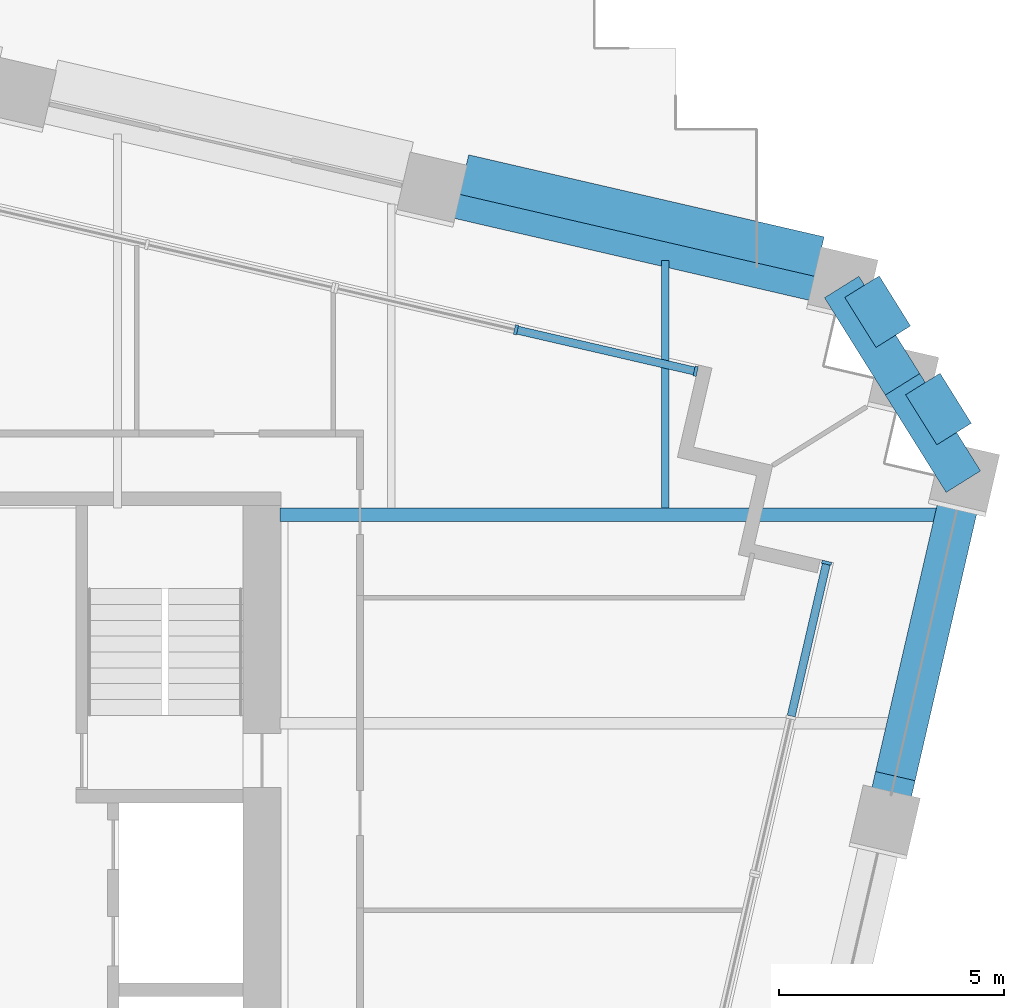
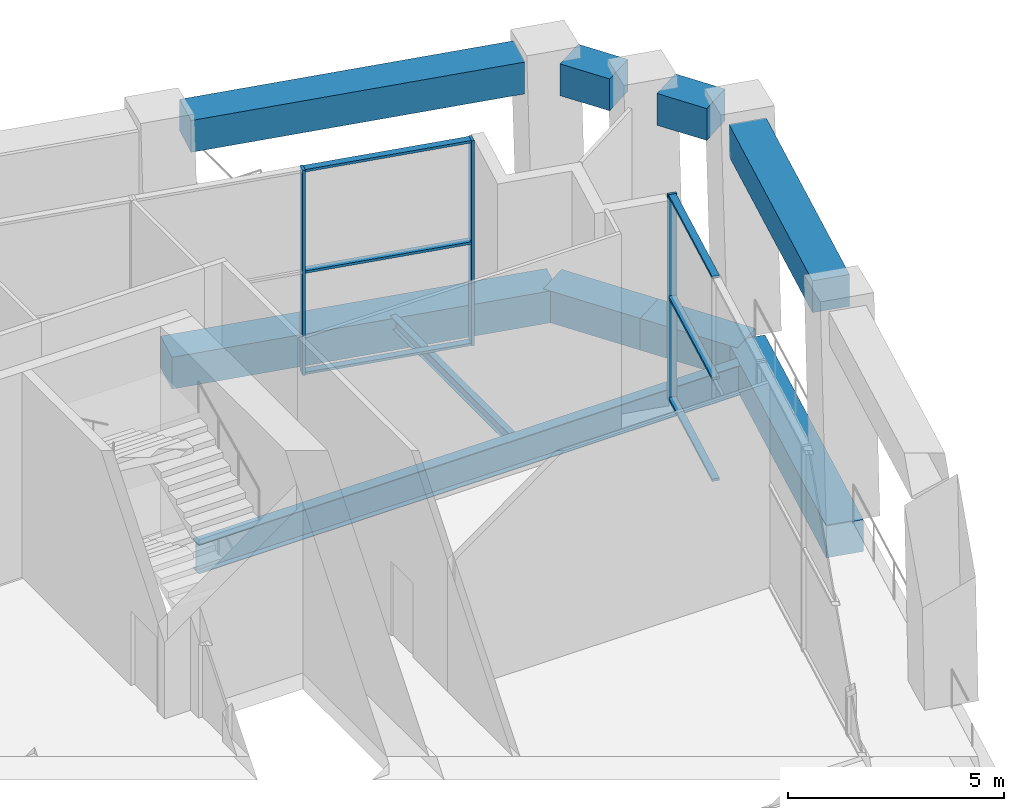
# One storey, part 10 of 23: 10 beams, 9 members, 2 elements without a shape of their own.
"""IFC4 building model written with IfcOpenShell, lengths in metres."""

from ifc_helpers import new_model, si_unit, direction, frame, origin, origin_2d, place, context, subcontext, project, spatial, rectangle, i_section, extrude, material, material_profile, profile_set, type_object, element, aggregate, save


model = new_model("IFC4")

# Units and contexts
model_context = context("Model", 3, precision=1e-05, world=origin(), true_north=direction((0.0, 1.0)))
body_context = subcontext(model_context, "Body", "Model", "MODEL_VIEW")
ifc_project = project(units=[si_unit("LENGTHUNIT", "METRE"), si_unit("AREAUNIT", "SQUARE_METRE"), si_unit("VOLUMEUNIT", "CUBIC_METRE"), si_unit("PLANEANGLEUNIT", "RADIAN"), si_unit("MASSUNIT", "GRAM", prefix="KILO")], contexts=[model_context])

# Site, building, storey
site_placement = place(None, origin())
site = spatial("IfcSite", under=ifc_project, at=site_placement, CompositionType="ELEMENT")
building_placement = place(site_placement, origin())
building = spatial("IfcBuilding", under=site, at=building_placement, Name="Ogive Exchange Tower", CompositionType="ELEMENT")
storey_placement = place(building_placement, frame((0.0, 0.0, 99.60009765625)))
storey = spatial("IfcBuildingStorey", under=building, at=storey_placement, Name="L21", CompositionType="ELEMENT", Elevation=99.60009765625)

# Beams
ifc_material_1 = material(Name="Steel ASTM A992 Gr50", Category="steel")
ifc_material_profile_1 = material_profile(ifc_material_1, i_section(OverallWidth=0.1650390625, OverallDepth=0.31005859375, WebThickness=0.005859375, FlangeThickness=0.009765625, at=origin_2d()), Name="W310x38.7")
ifc_profile_set_1 = profile_set([ifc_material_profile_1], Name="Steel ASTM A992 Gr50")
beam_type_1 = type_object("IfcBeamType", Name="Floor beam W310x38.7", PredefinedType="JOIST", material=ifc_profile_set_1)
beam_1_placement = place(storey_placement, frame((30.366943359375, 25.39111328125, -0.60498046875), z_axis=(0.0, 1.0, 0.0), x_axis=(-1.0, 0.0, 0.0)))
element("IfcBeam", 1, at=beam_1_placement, inside=storey, type_object=beam_type_1, Name="Floor beam", PredefinedType="JOIST", context=body_context, shape_type="SweptSolid", body=[
    extrude(i_section(OverallWidth=0.1650390625, OverallDepth=0.31005859375, WebThickness=0.005859375, FlangeThickness=0.009765625, at=origin_2d()), origin(), (0.0, 0.0, 1.0), 5.4990234375),
])
ifc_material_profile_2 = material_profile(ifc_material_1, i_section(OverallWidth=0.2919921875, OverallDepth=0.8359375, WebThickness=0.013916015625, FlangeThickness=0.018798828125, at=origin_2d()), Name="W840x176")
ifc_profile_set_2 = profile_set([ifc_material_profile_2], Name="Steel ASTM A992 Gr50")
beam_type_2 = type_object("IfcBeamType", Name="Girder W840x176", PredefinedType="BEAM", material=ifc_profile_set_2)
beam_2_placement = place(storey_placement, frame((21.830078125, 25.2451171875, -0.8681640625), z_axis=(1.0, 0.0, 0.0), x_axis=(0.0, 1.0, 0.0)))
element("IfcBeam", 2, at=beam_2_placement, inside=storey, type_object=beam_type_2, Name="Header girder", PredefinedType="BEAM", context=body_context, shape_type="SweptSolid", body=[
    extrude(i_section(OverallWidth=0.2919921875, OverallDepth=0.8359375, WebThickness=0.013916015625, FlangeThickness=0.018798828125, at=origin_2d()), origin(), (0.0, 0.0, 1.0), 14.668212890625),
])
ifc_material_2 = material(Name="Precast concrete C70/85 (limestone faced)", Category="masonry")
ifc_material_profile_3 = material_profile(ifc_material_2, rectangle(XDim=0.89990234375, YDim=0.89990234375, at=origin_2d()), Name="900 x 900")
ifc_profile_set_3 = profile_set([ifc_material_profile_3], Name="Precast concrete C70/85 (limestone faced)")
beam_type_3 = type_object("IfcBeamType", Name="Precast spandrel 900 x 900 C70/85", PredefinedType="SPANDREL", material=ifc_profile_set_3)
beam_3_placement = place(storey_placement, frame((35.47216796875, 19.449951171875, 5.2998046875), z_axis=(0.224961888605, 0.974367563436, 0.0), x_axis=(-0.974367563436, 0.224961888605, 0.0)))
element("IfcBeam", 3, at=beam_3_placement, inside=storey, type_object=beam_type_3, Name="Spandrel 15", PredefinedType="SPANDREL", context=body_context, shape_type="SweptSolid", body=[
    extrude(rectangle(XDim=0.89990234375, YDim=0.89990234375, at=origin_2d()), origin(), (0.0, 0.0, 1.0), 6.617919921875),
])
for number, where, z_axis, x_axis, name in (
    (4, (36.7744140625, 27.037109375, 5.2998046875), (-0.529847842077, 0.848092721491, 0.0), (-0.848092721491, -0.529847842077, 0.0), "Spandrel 16"),
    (5, (35.425537109375, 29.196044921875, 5.2998046875), (-0.529931776808, 0.848040277303, 0.0), (-0.848040277303, -0.529931776808, 0.0), "Spandrel 17"),
):
    element("IfcBeam", number, at=place(storey_placement, frame(where, z_axis=z_axis, x_axis=x_axis)), inside=storey, type_object=beam_type_3, Name=name, PredefinedType="SPANDREL", context=body_context, shape_type="SweptSolid", body=[
        extrude(rectangle(XDim=0.89990234375, YDim=0.89990234375, at=origin_2d()), origin(), (0.0, 0.0, 1.0), 1.30712890625),
    ])
beam_4_placement = place(storey_placement, frame((33.791015625, 30.971435546875, 5.2998046875), z_axis=(-0.974371864918, 0.224943256972, 0.0), x_axis=(-0.224943256972, -0.974371864918, 0.0)))
element("IfcBeam", 6, at=beam_4_placement, inside=storey, type_object=beam_type_3, Name="Spandrel 18", PredefinedType="SPANDREL", context=body_context, shape_type="SweptSolid", body=[
    extrude(rectangle(XDim=0.89990234375, YDim=0.89990234375, at=origin_2d()), origin(), (0.0, 0.0, 1.0), 8.090087890625),
])
ifc_material_profile_4 = material_profile(ifc_material_2, rectangle(XDim=0.89990234375, YDim=0.89990234375, at=origin_2d()), Name="900 x 900")
ifc_profile_set_4 = profile_set([ifc_material_profile_4], Name="Precast concrete C70/85 (limestone faced)")
beam_type_4 = type_object("IfcBeamType", Name="Precast transfer girder 900 x 900 C70/85", PredefinedType="BEAM", material=ifc_profile_set_4)
beam_5_placement = place(storey_placement, frame((35.225341796875, 18.380615234375, -0.900146484375), z_axis=(0.22495322987, 0.974369562523, 0.0), x_axis=(-0.974369562523, 0.22495322987, 0.0)))
element("IfcBeam", 7, at=beam_5_placement, inside=storey, type_object=beam_type_4, Name="Transfer girder 15", PredefinedType="BEAM", context=body_context, shape_type="SweptSolid", body=[
    extrude(rectangle(XDim=0.89990234375, YDim=0.89990234375, at=origin_2d()), origin(), (0.0, 0.0, 1.0), 7.800048828125),
])
beam_6_placement = place(storey_placement, frame((36.97998046875, 25.980712890625, -0.900146484375), z_axis=(-0.529912724405, 0.848052182659, 0.0), x_axis=(-0.848052182659, -0.529912724405, 0.0)))
element("IfcBeam", 8, at=beam_6_placement, inside=storey, type_object=beam_type_4, Name="Transfer girder 16", PredefinedType="BEAM", context=body_context, shape_type="SweptSolid", body=[
    extrude(rectangle(XDim=0.89990234375, YDim=0.89990234375, at=origin_2d()), origin(), (0.0, 0.0, 1.0), 2.54541015625),
])
beam_7_placement = place(storey_placement, frame((35.631103515625, 28.139404296875, -0.900146484375), z_axis=(-0.529981698198, 0.848009079889, 0.0), x_axis=(-0.848009079889, -0.529981698198, 0.0)))
element("IfcBeam", 9, at=beam_7_placement, inside=storey, type_object=beam_type_4, Name="Transfer girder 17", PredefinedType="BEAM", context=body_context, shape_type="SweptSolid", body=[
    extrude(rectangle(XDim=0.89990234375, YDim=0.89990234375, at=origin_2d()), origin(), (0.0, 0.0, 1.0), 2.545654296875),
])
beam_8_placement = place(storey_placement, frame((34.281982421875, 30.298095703125, -0.900146484375), z_axis=(-0.974364784413, 0.224973924925, 0.0), x_axis=(-0.224973924925, -0.974364784413, 0.0)))
element("IfcBeam", 10, at=beam_8_placement, inside=storey, type_object=beam_type_4, Name="Transfer girder 18", PredefinedType="BEAM", context=body_context, shape_type="SweptSolid", body=[
    extrude(rectangle(XDim=0.89990234375, YDim=0.89990234375, at=origin_2d()), origin(), (0.0, 0.0, 1.0), 9.35009765625),
])

# Curtain wall, member
ifc_material_3 = material(Name="Anodised aluminium and clear glass", Category="aluminium")
curtain_wall_type = type_object("IfcCurtainWallType", Name="Sky lobby glazing", PredefinedType="NOTDEFINED", material=ifc_material_3)
curtain_wall_1_placement = place(storey_placement, origin())
curtain_wall_1 = element("IfcCurtainWall", 11, at=curtain_wall_1_placement, inside=storey, type_object=curtain_wall_type, Name="Sky lobby glazing run G13", PredefinedType="NOTDEFINED")
ifc_material_4 = material(Name="Anodised aluminium", Category="aluminium")
ifc_material_profile_5 = material_profile(ifc_material_4, rectangle(XDim=0.219970703125, YDim=0.070068359375, at=origin_2d()), Name="AL 70x220")
ifc_profile_set_5 = profile_set([ifc_material_profile_5], Name="Anodised aluminium")
member_type_1 = type_object("IfcMemberType", Name="Sky lobby glazing mullion 70 x 220", PredefinedType="MULLION", material=ifc_profile_set_5)
member_1_placement = place(storey_placement, frame((33.947509765625, 24.181640625, 0.0), z_axis=(0.0, 0.0, 1.0), x_axis=(-0.974368684938, 0.224957031035, 0.0)))
member_1 = element("IfcMember", 12, at=member_1_placement, type_object=member_type_1, Name="G13 mullion 3", PredefinedType="MULLION", context=body_context, shape_type="SweptSolid", body=[
    extrude(rectangle(XDim=0.219970703125, YDim=0.070068359375, at=origin_2d()), origin(), (0.0, 0.0, 1.0), 5.7998046875),
])

# Curtain wall, members
curtain_wall_2_placement = place(storey_placement, origin())
curtain_wall_2 = element("IfcCurtainWall", 13, at=curtain_wall_2_placement, inside=storey, type_object=curtain_wall_type, Name="Sky lobby glazing run G14", PredefinedType="NOTDEFINED")
member_2_placement = place(storey_placement, frame((31.04345703125, 28.4287109375, 0.0), z_axis=(0.0, 0.0, 1.0), x_axis=(-0.224947146898, -0.974370966882, 0.0)))
member_2 = element("IfcMember", 14, at=member_2_placement, type_object=member_type_1, Name="G14 mullion 1", PredefinedType="MULLION", context=body_context, shape_type="SweptSolid", body=[
    extrude(rectangle(XDim=0.219970703125, YDim=0.070068359375, at=origin_2d()), origin(), (0.0, 0.0, 1.0), 5.7998046875),
])
member_3_placement = place(storey_placement, frame((27.058349609375, 29.348876953125, 0.0), z_axis=(0.0, 0.0, 1.0), x_axis=(-0.224947146898, -0.974370966882, 0.0)))
member_3 = element("IfcMember", 15, at=member_3_placement, type_object=member_type_1, Name="G14 mullion 2", PredefinedType="MULLION", context=body_context, shape_type="SweptSolid", body=[
    extrude(rectangle(XDim=0.219970703125, YDim=0.070068359375, at=origin_2d()), origin(), (0.0, 0.0, 1.0), 5.7998046875),
])

# Member
ifc_material_profile_6 = material_profile(ifc_material_4, rectangle(XDim=0.179931640625, YDim=0.070068359375, at=origin_2d()), Name="AL 70x180")
ifc_profile_set_6 = profile_set([ifc_material_profile_6], Name="Anodised aluminium")
member_type_2 = type_object("IfcMemberType", Name="Sky lobby glazing transom 70 x 180", PredefinedType="USERDEFINED", material=ifc_profile_set_6)
member_4_placement = place(storey_placement, frame((33.1630859375, 20.783935546875, 0.034912109375), z_axis=(0.224973140409, 0.974364965552, 0.0), x_axis=(-0.974364965552, 0.224973140409, 0.0)))
member_4 = element("IfcMember", 16, at=member_4_placement, type_object=member_type_2, Name="G13 transom 2.1", ObjectType="TRANSOM", PredefinedType="USERDEFINED", context=body_context, shape_type="SweptSolid", body=[
    extrude(rectangle(XDim=0.179931640625, YDim=0.070068359375, at=origin_2d()), origin(), (0.0, 0.0, 1.0), 3.451904296875),
])

member_5_placement = place(storey_placement, frame((33.1630859375, 20.783935546875, 2.89990234375), z_axis=(0.224973140409, 0.974364965552, 0.0), x_axis=(-0.974364965552, 0.224973140409, 0.0)))
member_5 = element("IfcMember", 17, at=member_5_placement, type_object=member_type_2, Name="G13 transom 2.2", ObjectType="TRANSOM", PredefinedType="USERDEFINED", context=body_context, shape_type="SweptSolid", body=[
    extrude(rectangle(XDim=0.179931640625, YDim=0.070068359375, at=origin_2d()), origin(), (0.0, 0.0, 1.0), 3.451904296875),
])

member_6_placement = place(storey_placement, frame((33.1630859375, 20.783935546875, 5.764892578125), z_axis=(0.224973140409, 0.974364965552, 0.0), x_axis=(-0.974364965552, 0.224973140409, 0.0)))
member_6 = element("IfcMember", 18, at=member_6_placement, type_object=member_type_2, Name="G13 transom 2.3", ObjectType="TRANSOM", PredefinedType="USERDEFINED", context=body_context, shape_type="SweptSolid", body=[
    extrude(rectangle(XDim=0.179931640625, YDim=0.070068359375, at=origin_2d()), origin(), (0.0, 0.0, 1.0), 3.451904296875),
])

aggregate(curtain_wall_1, [member_1, member_4, member_5, member_6])

member_7_placement = place(storey_placement, frame((31.00927734375, 28.436767578125, 0.034912109375), z_axis=(-0.974380958351, 0.224903863914, 0.0), x_axis=(-0.224903863914, -0.974380958351, 0.0)))
member_7 = element("IfcMember", 19, at=member_7_placement, type_object=member_type_2, Name="G14 transom 1.1", ObjectType="TRANSOM", PredefinedType="USERDEFINED", context=body_context, shape_type="SweptSolid", body=[
    extrude(rectangle(XDim=0.179931640625, YDim=0.070068359375, at=origin_2d()), origin(), (0.0, 0.0, 1.0), 4.019775390625),
])

member_8_placement = place(storey_placement, frame((31.00927734375, 28.436767578125, 2.89990234375), z_axis=(-0.974380958351, 0.224903863914, 0.0), x_axis=(-0.224903863914, -0.974380958351, 0.0)))
member_8 = element("IfcMember", 20, at=member_8_placement, type_object=member_type_2, Name="G14 transom 1.2", ObjectType="TRANSOM", PredefinedType="USERDEFINED", context=body_context, shape_type="SweptSolid", body=[
    extrude(rectangle(XDim=0.179931640625, YDim=0.070068359375, at=origin_2d()), origin(), (0.0, 0.0, 1.0), 4.019775390625),
])

member_9_placement = place(storey_placement, frame((31.00927734375, 28.436767578125, 5.764892578125), z_axis=(-0.974380958351, 0.224903863914, 0.0), x_axis=(-0.224903863914, -0.974380958351, 0.0)))
member_9 = element("IfcMember", 21, at=member_9_placement, type_object=member_type_2, Name="G14 transom 1.3", ObjectType="TRANSOM", PredefinedType="USERDEFINED", context=body_context, shape_type="SweptSolid", body=[
    extrude(rectangle(XDim=0.179931640625, YDim=0.070068359375, at=origin_2d()), origin(), (0.0, 0.0, 1.0), 4.019775390625),
])

aggregate(curtain_wall_2, [member_2, member_3, member_7, member_8, member_9])

save(model, "model.ifc")
